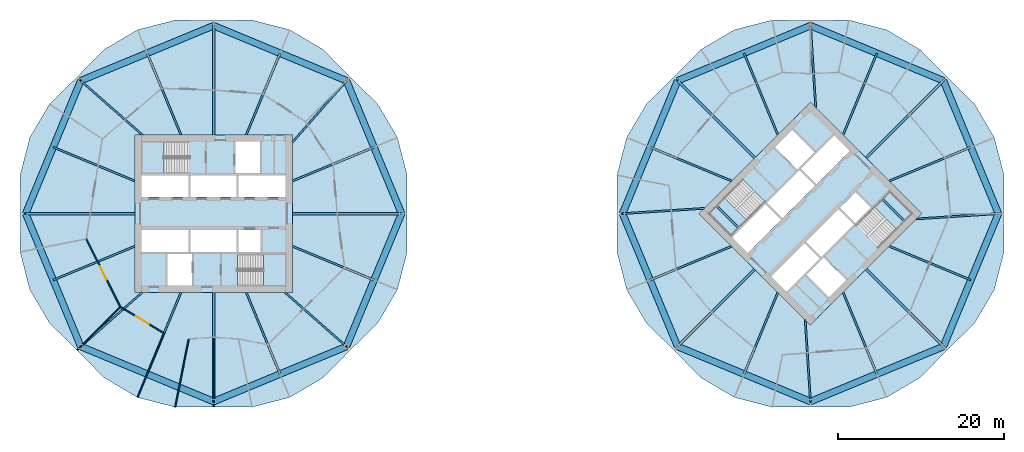
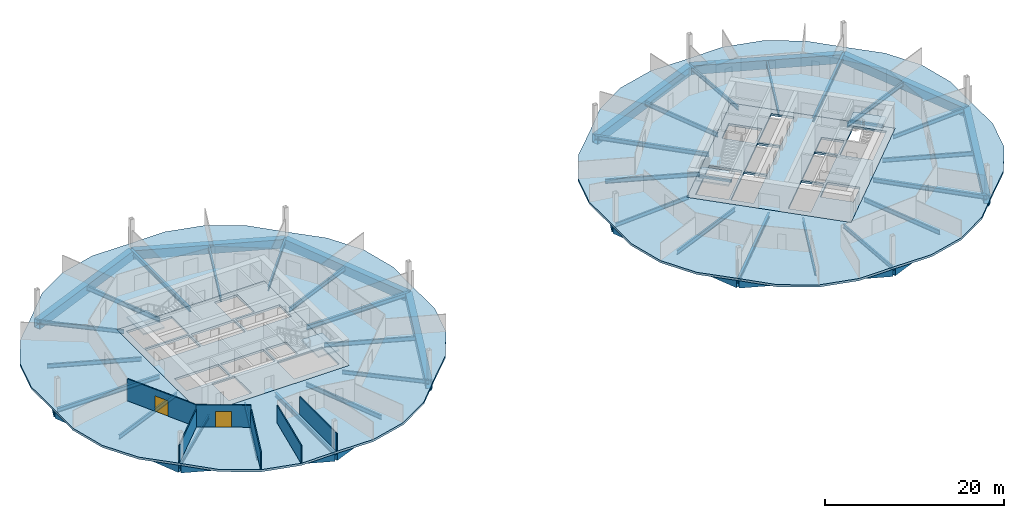
# One storey, part 3 of 9: 50 beams, 8 slabs, 6 walls, 2 doors, 2 openings, 4 elements without a shape of their own.
"""IFC4 building model written with IfcOpenShell, lengths in metres."""

from ifc_helpers import new_model, si_unit, direction, frame, frame_2d, origin, origin_2d, place, context, subcontext, project, spatial, polyline, rectangle, hollow_rectangle, i_section, outline, extrude, material, layer, layer_set, material_profile, profile_set, type_object, element, fill, aggregate, save


model = new_model("IFC4")

# Units and contexts
model_context = context("Model", 3, precision=1e-05, world=origin(), true_north=direction((0.0, 1.0)))
body_context = subcontext(model_context, "Body", "Model", "MODEL_VIEW")
ifc_project = project(units=[si_unit("LENGTHUNIT", "METRE"), si_unit("AREAUNIT", "SQUARE_METRE"), si_unit("VOLUMEUNIT", "CUBIC_METRE"), si_unit("PLANEANGLEUNIT", "RADIAN"), si_unit("MASSUNIT", "GRAM", prefix="KILO")], contexts=[model_context])

# Site, building, storey
site_placement = place(None, origin())
site = spatial("IfcSite", under=ifc_project, at=site_placement, CompositionType="ELEMENT")
building_placement = place(site_placement, origin())
building = spatial("IfcBuilding", under=site, at=building_placement, Name="Ogive Gate Towers", CompositionType="ELEMENT")
storey_placement = place(building_placement, frame((0.0, 0.0, 84.0)))
storey = spatial("IfcBuildingStorey", under=building, at=storey_placement, Name="L19", CompositionType="ELEMENT", Elevation=84.0)

# Beams
ifc_material_1 = material(Name="Steel SM460", Category="steel")
ifc_material_profile_1 = material_profile(ifc_material_1, hollow_rectangle(XDim=0.800048828125, YDim=1.199951171875, WallThickness=0.050048828125, at=origin_2d()), Name="BX 1200x800x50")
ifc_profile_set_1 = profile_set([ifc_material_profile_1], Name="Steel SM460")
beam_type_1 = type_object("IfcBeamType", Name="Edge girder BX 1200x800x50", PredefinedType="BEAM", material=ifc_profile_set_1)
for number, where, z_axis, x_axis, name in (
    (1, (-52.030029296875, -16.030029296875, -0.89990234375), (0.923878777792, -0.382685254414, 0.0), (0.382685254414, 0.923878777792, 0.0), "T1/L19/SBM017"),
    (2, (-36.0, -22.669921875, -0.89990234375), (0.923878777792, 0.382685254414, 0.0), (-0.382685254414, 0.923878777792, 0.0), "T1/L19/SBM018"),
    (3, (-19.969970703125, -16.030029296875, -0.89990234375), (0.382685254414, 0.923878777792, 0.0), (-0.923878777792, 0.382685254414, 0.0), "T1/L19/SBM019"),
    (4, (-13.330078125, 0.0, -0.89990234375), (-0.382685254414, 0.923878777792, 0.0), (-0.923878777792, -0.382685254414, 0.0), "T1/L19/SBM020"),
    (5, (-19.969970703125, 16.030029296875, -0.89990234375), (-0.923878777792, 0.382685254414, 0.0), (-0.382685254414, -0.923878777792, 0.0), "T1/L19/SBM021"),
    (6, (-36.0, 22.669921875, -0.89990234375), (-0.923878777792, -0.382685254414, 0.0), (0.382685254414, -0.923878777792, 0.0), "T1/L19/SBM022"),
    (7, (-52.030029296875, 16.030029296875, -0.89990234375), (-0.382685254414, -0.923878777792, 0.0), (0.923878777792, -0.382685254414, 0.0), "T1/L19/SBM023"),
    (8, (-58.669921875, 0.0, -0.89990234375), (0.382685254414, -0.923878777792, 0.0), (0.923878777792, 0.382685254414, 0.0), "T1/L19/SBM024"),
    (9, (19.969970703125, -16.030029296875, -0.89990234375), (0.923878777792, -0.382685254414, 0.0), (0.382685254414, 0.923878777792, 0.0), "T2/L19/SBM017"),
    (10, (36.0, -22.669921875, -0.89990234375), (0.923878777792, 0.382685254414, 0.0), (-0.382685254414, 0.923878777792, 0.0), "T2/L19/SBM018"),
    (11, (52.030029296875, -16.030029296875, -0.89990234375), (0.382685254414, 0.923878777792, 0.0), (-0.923878777792, 0.382685254414, 0.0), "T2/L19/SBM019"),
    (12, (58.669921875, 0.0, -0.89990234375), (-0.382685254414, 0.923878777792, 0.0), (-0.923878777792, -0.382685254414, 0.0), "T2/L19/SBM020"),
    (13, (52.030029296875, 16.030029296875, -0.89990234375), (-0.923878777792, 0.382685254414, 0.0), (-0.382685254414, -0.923878777792, 0.0), "T2/L19/SBM021"),
    (14, (36.0, 22.669921875, -0.89990234375), (-0.923878777792, -0.382685254414, 0.0), (0.382685254414, -0.923878777792, 0.0), "T2/L19/SBM022"),
    (15, (19.969970703125, 16.030029296875, -0.89990234375), (-0.382685254414, -0.923878777792, 0.0), (0.923878777792, -0.382685254414, 0.0), "T2/L19/SBM023"),
    (16, (13.330078125, 0.0, -0.89990234375), (0.382685254414, -0.923878777792, 0.0), (0.923878777792, 0.382685254414, 0.0), "T2/L19/SBM024"),
):
    element("IfcBeam", number, at=place(storey_placement, frame(where, z_axis=z_axis, x_axis=x_axis)), inside=storey, type_object=beam_type_1, Name=name, PredefinedType="BEAM", context=body_context, shape_type="SweptSolid", body=[
        extrude(hollow_rectangle(XDim=0.800048828125, YDim=1.199951171875, WallThickness=0.050048828125, at=origin_2d()), origin(), (0.0, 0.0, 1.0), 17.350830078125),
    ])
ifc_material_2 = material(Name="Concrete C40/50", Category="concrete")
ifc_material_profile_2 = material_profile(ifc_material_2, rectangle(XDim=0.25, YDim=0.300048828125, at=origin_2d()), Name="RC 250x300")
ifc_profile_set_2 = profile_set([ifc_material_profile_2], Name="Concrete C40/50")
beam_type_2 = type_object("IfcBeamType", Name="Landing bearer RC 250x300", PredefinedType="BEAM", material=ifc_profile_set_2)
for number, where, z_axis, x_axis, name in (
    (17, (24.650390625, 0.9541015625, 1.60009765625), (0.707106781187, -0.707106781187, 0.0), (0.707106781187, 0.707106781187, 0.0), "T2 L19 stair 1 landing bearer 1"),
    (18, (47.349609375, -0.9541015625, 1.60009765625), (-0.707106781187, 0.707106781187, 0.0), (-0.707106781187, -0.707106781187, 0.0), "T2 L19 stair 2 landing bearer 1"),
):
    element("IfcBeam", number, at=place(storey_placement, frame(where, z_axis=z_axis, x_axis=x_axis)), inside=storey, type_object=beam_type_2, Name=name, PredefinedType="BEAM", context=body_context, shape_type="SweptSolid", body=[
        extrude(rectangle(XDim=0.25, YDim=0.300048828125, at=origin_2d()), origin(), (0.0, 0.0, 1.0), 3.824951171875),
    ])
ifc_material_3 = material(Name="Steel SM355", Category="steel")
ifc_material_profile_3 = material_profile(ifc_material_3, i_section(OverallWidth=0.300048828125, OverallDepth=0.590087890625, WebThickness=0.012939453125, FlangeThickness=0.02490234375, FilletRadius=0.027099609375, at=origin_2d()), Name="HE 600 A")
ifc_profile_set_3 = profile_set([ifc_material_profile_3], Name="Steel SM355")
beam_type_3 = type_object("IfcBeamType", Name="Radial floor beam HE 600 A", PredefinedType="BEAM", material=ifc_profile_set_3)
for number, where, z_axis, x_axis, name in (
    (19, (-36.0, -9.5, -0.594970703125), (0.0, -1.0, 0.0), (1.0, 0.0, 0.0), "T1/L19/SBM003"),
    (20, (-26.5, 0.0, -0.594970703125), (1.0, 0.0, 0.0), (0.0, 1.0, 0.0), "T1/L19/SBM007"),
    (21, (-36.0, 9.5, -0.594970703125), (0.0, 1.0, 0.0), (-1.0, 0.0, 0.0), "T1/L19/SBM011"),
    (22, (-45.5, 0.0, -0.594970703125), (-1.0, 0.0, 0.0), (0.0, -1.0, 0.0), "T1/L19/SBM015"),
    (23, (29.282470703125, -6.717529296875, -0.594970703125), (-0.707106781187, -0.707106781187, 0.0), (0.707106781187, -0.707106781187, 0.0), "T2/L19/SBM001"),
    (24, (42.717529296875, -6.717529296875, -0.594970703125), (0.707106781187, -0.707106781187, 0.0), (0.707106781187, 0.707106781187, 0.0), "T2/L19/SBM005"),
    (25, (42.717529296875, 6.717529296875, -0.594970703125), (0.707106781187, 0.707106781187, 0.0), (-0.707106781187, 0.707106781187, 0.0), "T2/L19/SBM009"),
    (26, (29.282470703125, 6.717529296875, -0.594970703125), (-0.707106781187, 0.707106781187, 0.0), (-0.707106781187, -0.707106781187, 0.0), "T2/L19/SBM013"),
):
    element("IfcBeam", number, at=place(storey_placement, frame(where, z_axis=z_axis, x_axis=x_axis)), inside=storey, type_object=beam_type_3, Name=name, PredefinedType="BEAM", context=body_context, shape_type="SweptSolid", body=[
        extrude(i_section(OverallWidth=0.300048828125, OverallDepth=0.590087890625, WebThickness=0.012939453125, FlangeThickness=0.02490234375, FilletRadius=0.027099609375, at=origin_2d()), origin(), (0.0, 0.0, 1.0), 13.169921875),
    ])
ifc_material_profile_4 = material_profile(ifc_material_3, i_section(OverallWidth=0.2099609375, OverallDepth=0.550048828125, WebThickness=0.010986328125, FlangeThickness=0.01708984375, FilletRadius=0.02392578125, at=origin_2d()), Name="IPE 550")
ifc_profile_set_4 = profile_set([ifc_material_profile_4], Name="Steel SM355")
beam_type_4 = type_object("IfcBeamType", Name="Radial floor beam IPE 550", PredefinedType="BEAM", material=ifc_profile_set_4)
for number, where, z_axis, x_axis, name in (
    (27, (-44.60009765625, -9.5, -0.574951171875), (-0.751130036477, -0.660154276137, 0.0), (0.660154276137, -0.751130036477, 0.0), "T1/L19/SBM001"),
    (28, (-27.39990234375, -9.5, -0.574951171875), (0.751130036477, -0.660154276137, 0.0), (0.660154276137, 0.751130036477, 0.0), "T1/L19/SBM005"),
    (29, (-26.5, 8.60009765625, -0.574951171875), (0.660154276137, 0.751130036477, 0.0), (-0.751130036477, 0.660154276137, 0.0), "T1/L19/SBM009"),
    (30, (-44.60009765625, 9.5, -0.574951171875), (-0.751130036477, 0.660154276137, 0.0), (-0.660154276137, -0.751130036477, 0.0), "T1/L19/SBM013"),
):
    element("IfcBeam", number, at=place(storey_placement, frame(where, z_axis=z_axis, x_axis=x_axis)), inside=storey, type_object=beam_type_4, Name=name, PredefinedType="BEAM", context=body_context, shape_type="SweptSolid", body=[
        extrude(i_section(OverallWidth=0.2099609375, OverallDepth=0.550048828125, WebThickness=0.010986328125, FlangeThickness=0.01708984375, FilletRadius=0.02392578125, at=origin_2d()), origin(), (0.0, 0.0, 1.0), 9.8916015625),
    ])
for number, where, z_axis, x_axis, name in (
    (31, (35.363525390625, -12.798583984375, -0.574951171875), (0.064343427717, -0.997927814679, 0.0), (0.997927814679, 0.064343427717, 0.0), "T2/L19/SBM003"),
    (32, (48.798583984375, -0.636474609375, -0.574951171875), (0.997927814679, 0.064343427717, 0.0), (-0.064343427717, 0.997927814679, 0.0), "T2/L19/SBM007"),
    (33, (36.636474609375, 12.798583984375, -0.574951171875), (-0.064343427717, 0.997927814679, 0.0), (-0.997927814679, -0.064343427717, 0.0), "T2/L19/SBM011"),
    (34, (23.201416015625, 0.636474609375, -0.574951171875), (-0.997927814679, -0.064343427717, 0.0), (0.064343427717, -0.997927814679, 0.0), "T2/L19/SBM015"),
):
    element("IfcBeam", number, at=place(storey_placement, frame(where, z_axis=z_axis, x_axis=x_axis)), inside=storey, type_object=beam_type_4, Name=name, PredefinedType="BEAM", context=body_context, shape_type="SweptSolid", body=[
        extrude(i_section(OverallWidth=0.2099609375, OverallDepth=0.550048828125, WebThickness=0.010986328125, FlangeThickness=0.01708984375, FilletRadius=0.02392578125, at=origin_2d()), origin(), (0.0, 0.0, 1.0), 9.891845703125),
    ])
ifc_material_profile_5 = material_profile(ifc_material_3, i_section(OverallWidth=0.219970703125, OverallDepth=0.60009765625, WebThickness=0.011962890625, FlangeThickness=0.01904296875, FilletRadius=0.02392578125, at=origin_2d()), Name="IPE 600")
ifc_profile_set_5 = profile_set([ifc_material_profile_5], Name="Steel SM355")
beam_type_5 = type_object("IfcBeamType", Name="Radial floor beam IPE 600", PredefinedType="BEAM", material=ifc_profile_set_5)
for number, where, z_axis, x_axis, name in (
    (35, (-39.93505859375, -9.5, -0.60009765625), (-0.382686161148, -0.923878402208, 0.0), (0.923878402208, -0.382686161148, 0.0), "T1/L19/SBM002"),
    (36, (-32.06494140625, -9.5, -0.60009765625), (0.382686161148, -0.923878402208, 0.0), (0.923878402208, 0.382686161148, 0.0), "T1/L19/SBM004"),
    (37, (-26.5, -3.93505859375, -0.60009765625), (0.923878402208, -0.382686161148, 0.0), (0.382686161148, 0.923878402208, 0.0), "T1/L19/SBM006"),
    (38, (-26.5, 3.93505859375, -0.60009765625), (0.923878402208, 0.382686161148, 0.0), (-0.382686161148, 0.923878402208, 0.0), "T1/L19/SBM008"),
    (39, (-32.06494140625, 9.5, -0.60009765625), (0.382686161148, 0.923878402208, 0.0), (-0.923878402208, 0.382686161148, 0.0), "T1/L19/SBM010"),
    (40, (-39.93505859375, 9.5, -0.60009765625), (-0.382686161148, 0.923878402208, 0.0), (-0.923878402208, -0.382686161148, 0.0), "T1/L19/SBM012"),
    (41, (-45.5, 3.93505859375, -0.60009765625), (-0.923878402208, 0.382686161148, 0.0), (-0.382686161148, -0.923878402208, 0.0), "T1/L19/SBM014"),
    (42, (-45.5, -3.93505859375, -0.60009765625), (-0.923878402208, -0.382686161148, 0.0), (0.382686161148, -0.923878402208, 0.0), "T1/L19/SBM016"),
    (43, (32.06494140625, -9.5, -0.60009765625), (-0.382686161148, -0.923878402208, 0.0), (0.923878402208, -0.382686161148, 0.0), "T2/L19/SBM002"),
    (44, (39.93505859375, -9.5, -0.60009765625), (0.382686161148, -0.923878402208, 0.0), (0.923878402208, 0.382686161148, 0.0), "T2/L19/SBM004"),
    (45, (45.5, -3.93505859375, -0.60009765625), (0.923878402208, -0.382686161148, 0.0), (0.382686161148, 0.923878402208, 0.0), "T2/L19/SBM006"),
    (46, (45.5, 3.93505859375, -0.60009765625), (0.923878402208, 0.382686161148, 0.0), (-0.382686161148, 0.923878402208, 0.0), "T2/L19/SBM008"),
    (47, (39.93505859375, 9.5, -0.60009765625), (0.382686161148, 0.923878402208, 0.0), (-0.923878402208, 0.382686161148, 0.0), "T2/L19/SBM010"),
    (48, (32.06494140625, 9.5, -0.60009765625), (-0.382686161148, 0.923878402208, 0.0), (-0.923878402208, -0.382686161148, 0.0), "T2/L19/SBM012"),
    (49, (26.5, 3.93505859375, -0.60009765625), (-0.923878402208, 0.382686161148, 0.0), (-0.382686161148, -0.923878402208, 0.0), "T2/L19/SBM014"),
    (50, (26.5, -3.93505859375, -0.60009765625), (-0.923878402208, -0.382686161148, 0.0), (0.382686161148, -0.923878402208, 0.0), "T2/L19/SBM016"),
):
    element("IfcBeam", number, at=place(storey_placement, frame(where, z_axis=z_axis, x_axis=x_axis)), inside=storey, type_object=beam_type_5, Name=name, PredefinedType="BEAM", context=body_context, shape_type="SweptSolid", body=[
        extrude(i_section(OverallWidth=0.219970703125, OverallDepth=0.60009765625, WebThickness=0.011962890625, FlangeThickness=0.01904296875, FilletRadius=0.02392578125, at=origin_2d()), origin(), (0.0, 0.0, 1.0), 10.66162109375),
    ])

# Slabs
ifc_layer_1 = layer(ifc_material_2, 0.300048828125)
ifc_layer_set_1 = layer_set([ifc_layer_1], Name="Core slab C40/50 300 mm")
slab_type_1 = type_object("IfcSlabType", Name="Core slab C40/50 300 mm", PredefinedType="FLOOR", material=ifc_layer_set_1)
slab_1_placement = place(storey_placement, frame((0.0, 0.0, -0.300048828125)))
element("IfcSlab", 51, at=slab_1_placement, inside=storey, type_object=slab_type_1, Name="T1 L19 core slab", PredefinedType="FLOOR", context=body_context, shape_type="SweptSolid", body=[
    extrude(outline(polyline([(-26.5, 9.5), (-26.5, -9.5), (-45.5, -9.5), (-45.5, 9.5), (-26.5, 9.5)]), holes=[polyline([(-39.02490234375, 4.625), (-44.699951171875, 4.625), (-44.699951171875, 2.0), (-39.02490234375, 2.0), (-39.02490234375, 4.625)]), polyline([(-33.22509765625, 2.0), (-33.22509765625, 4.625), (-38.77490234375, 4.625), (-38.77490234375, 2.0), (-33.22509765625, 2.0)]), polyline([(-32.97509765625, 2.0), (-27.300048828125, 2.0), (-27.300048828125, 4.625), (-32.97509765625, 4.625), (-32.97509765625, 2.0)]), polyline([(-44.699951171875, -2.0), (-44.699951171875, -4.625), (-39.02490234375, -4.625), (-39.02490234375, -2.0), (-44.699951171875, -2.0)]), polyline([(-33.22509765625, -2.0), (-38.77490234375, -2.0), (-38.77490234375, -4.625), (-33.22509765625, -4.625), (-33.22509765625, -2.0)]), polyline([(-30.324951171875, -4.625), (-30.324951171875, -2.0), (-32.97509765625, -2.0), (-32.97509765625, -4.625), (-30.324951171875, -4.625)]), polyline([(-33.375, 4.875), (-30.425048828125, 4.875), (-30.425048828125, 8.699951171875), (-33.375, 8.699951171875), (-33.375, 4.875)]), polyline([(-41.574951171875, -4.875), (-41.574951171875, -8.699951171875), (-38.625, -8.699951171875), (-38.625, -4.875), (-41.574951171875, -4.875)]), polyline([(-44.699951171875, 4.875), (-38.885009765625, 4.875), (-38.885009765625, 8.699951171875), (-44.699951171875, 8.699951171875), (-44.699951171875, 4.875)]), polyline([(-27.300048828125, -8.699951171875), (-27.300048828125, -4.875), (-33.114990234375, -4.875), (-33.114990234375, -8.699951171875), (-27.300048828125, -8.699951171875)])]), origin(), (0.0, 0.0, 1.0), 0.300048828125),
])
slab_2_placement = place(storey_placement, frame((0.0, 0.0, -0.300048828125)))
element("IfcSlab", 52, at=slab_2_placement, inside=storey, type_object=slab_type_1, Name="T2 L19 core slab", PredefinedType="FLOOR", context=body_context, shape_type="SweptSolid", body=[
    extrude(outline(polyline([(36.0, 13.43505859375), (49.43505859375, 0.0), (36.0, -13.43505859375), (22.56494140625, 0.0), (36.0, 13.43505859375)]), holes=[polyline([(30.590576171875, 1.13134765625), (26.577880859375, -2.881591796875), (28.43408203125, -4.737548828125), (32.44677734375, -0.724853515625), (30.590576171875, 1.13134765625)]), polyline([(36.548095703125, 3.37646484375), (34.69189453125, 5.232666015625), (30.767333984375, 1.30810546875), (32.62353515625, -0.548095703125), (36.548095703125, 3.37646484375)]), polyline([(36.724853515625, 3.55322265625), (40.737548828125, 7.56591796875), (38.881591796875, 9.422119140625), (34.86865234375, 5.409423828125), (36.724853515625, 3.55322265625)]), polyline([(31.262451171875, -7.56591796875), (33.118408203125, -9.422119140625), (37.13134765625, -5.409423828125), (35.275146484375, -3.55322265625), (31.262451171875, -7.56591796875)]), polyline([(39.37646484375, 0.548095703125), (35.451904296875, -3.37646484375), (37.30810546875, -5.232666015625), (41.232666015625, -1.30810546875), (39.37646484375, 0.548095703125)]), polyline([(43.283203125, 0.742431640625), (41.427001953125, 2.5986328125), (39.55322265625, 0.724853515625), (41.409423828125, -1.13134765625), (43.283203125, 0.742431640625)]), polyline([(34.408935546875, 5.30322265625), (36.4951171875, 7.389404296875), (33.790283203125, 10.093994140625), (31.704345703125, 8.008056640625), (34.408935546875, 5.30322265625)]), polyline([(35.5048828125, -7.389404296875), (38.209716796875, -10.093994140625), (40.295654296875, -8.008056640625), (37.591064453125, -5.30322265625), (35.5048828125, -7.389404296875)]), polyline([(26.40087890625, -2.70458984375), (30.512939453125, 1.406982421875), (27.80810546875, 4.11181640625), (23.6962890625, 0.0), (26.40087890625, -2.70458984375)]), polyline([(48.3037109375, 0.0), (45.59912109375, 2.70458984375), (41.487060546875, -1.406982421875), (44.19189453125, -4.11181640625), (48.3037109375, 0.0)])]), origin(), (0.0, 0.0, 1.0), 0.300048828125),
])
ifc_material_4 = material(Name="Concrete C35/45", Category="concrete")
ifc_layer_2 = layer(ifc_material_4, 0.300048828125)
ifc_layer_set_2 = layer_set([ifc_layer_2], Name="Floor slab 300")
slab_type_2 = type_object("IfcSlabType", Name="Floor slab 300", PredefinedType="FLOOR", material=ifc_layer_set_2)
slab_3_placement = place(storey_placement, frame((0.0, 0.0, -0.300048828125)))
element("IfcSlab", 53, at=slab_3_placement, inside=storey, type_object=slab_type_2, Name="T1/L19/SSL001", PredefinedType="FLOOR", context=body_context, shape_type="SweptSolid", body=[
    extrude(outline(polyline([(-12.6572265625, -4.64306640625), (-12.699951171875, 0.0), (-12.6572265625, 4.64306640625), (-13.826904296875, 9.184326171875), (-16.2109375, 13.22265625), (-19.5244140625, 16.4755859375), (-22.77734375, 19.7890625), (-26.815673828125, 22.173095703125), (-31.35693359375, 23.3427734375), (-36.0, 23.300048828125), (-40.64306640625, 23.3427734375), (-45.184326171875, 22.173095703125), (-49.22265625, 19.7890625), (-52.4755859375, 16.4755859375), (-55.7890625, 13.22265625), (-58.173095703125, 9.184326171875), (-59.3427734375, 4.64306640625), (-59.300048828125, 0.0), (-59.3427734375, -4.64306640625), (-58.173095703125, -9.184326171875), (-55.7890625, -13.22265625), (-52.4755859375, -16.4755859375), (-49.22265625, -19.7890625), (-45.184326171875, -22.173095703125), (-40.64306640625, -23.3427734375), (-36.0, -23.300048828125), (-31.35693359375, -23.3427734375), (-26.815673828125, -22.173095703125), (-22.77734375, -19.7890625), (-19.5244140625, -16.4755859375), (-16.2109375, -13.22265625), (-13.826904296875, -9.184326171875), (-12.6572265625, -4.64306640625)]), holes=[polyline([(-26.5, -9.5), (-45.5, -9.5), (-45.5, 9.5), (-26.5, 9.5), (-26.5, -9.5)])]), origin(), (0.0, 0.0, 1.0), 0.300048828125),
])
slab_4_placement = place(storey_placement, frame((0.0, 0.0, -0.300048828125)))
element("IfcSlab", 54, at=slab_4_placement, inside=storey, type_object=slab_type_2, Name="T2/L19/SSL001", PredefinedType="FLOOR", context=body_context, shape_type="SweptSolid", body=[
    extrude(outline(polyline([(59.3427734375, -4.64306640625), (59.300048828125, 0.0), (59.3427734375, 4.64306640625), (58.173095703125, 9.184326171875), (55.7890625, 13.22265625), (52.4755859375, 16.4755859375), (49.22265625, 19.7890625), (45.184326171875, 22.173095703125), (40.64306640625, 23.3427734375), (36.0, 23.300048828125), (31.35693359375, 23.3427734375), (26.815673828125, 22.173095703125), (22.77734375, 19.7890625), (19.5244140625, 16.4755859375), (16.2109375, 13.22265625), (13.826904296875, 9.184326171875), (12.6572265625, 4.64306640625), (12.699951171875, 0.0), (12.6572265625, -4.64306640625), (13.826904296875, -9.184326171875), (16.2109375, -13.22265625), (19.5244140625, -16.4755859375), (22.77734375, -19.7890625), (26.815673828125, -22.173095703125), (31.35693359375, -23.3427734375), (36.0, -23.300048828125), (40.64306640625, -23.3427734375), (45.184326171875, -22.173095703125), (49.22265625, -19.7890625), (52.4755859375, -16.4755859375), (55.7890625, -13.22265625), (58.173095703125, -9.184326171875), (59.3427734375, -4.64306640625)]), holes=[polyline([(49.43505859375, 0.0), (36.0, -13.43505859375), (22.56494140625, 0.0), (36.0, 13.43505859375), (49.43505859375, 0.0)])]), origin(), (0.0, 0.0, 1.0), 0.300048828125),
])

# Stair, slab
stair_type = type_object("IfcStairType", Name="Escape stair 1840 wide", PredefinedType="HALF_TURN_STAIR", material=ifc_material_2)
stair_1_placement = place(storey_placement, origin())
stair_1 = element("IfcStair", 55, at=stair_1_placement, inside=storey, type_object=stair_type, Name="L19 Escape stair 1", PredefinedType="HALF_TURN_STAIR")
ifc_layer_3 = layer(ifc_material_2, 0.199951171875)
ifc_layer_set_3 = layer_set([ifc_layer_3], Name="Stair landing 200 mm")
slab_type_3 = type_object("IfcSlabType", Name="Stair landing 200 mm", PredefinedType="LANDING", material=ifc_layer_set_3)
slab_5_placement = place(storey_placement, frame((0.0, 0.0, 1.75)))
slab_5 = element("IfcSlab", 56, at=slab_5_placement, type_object=slab_type_3, Name="ST1 landing 1", PredefinedType="LANDING", context=body_context, shape_type="SweptSolid", body=[
    extrude(outline(polyline([(-42.00146484375, 8.699951171875), (-44.699951171875, 8.699951171875), (-44.699951171875, 4.875), (-42.00146484375, 4.875), (-42.00146484375, 8.699951171875)])), origin(), (0.0, 0.0, 1.0), 0.199951171875),
])
aggregate(stair_1, [slab_5])

stair_2_placement = place(storey_placement, origin())
stair_2 = element("IfcStair", 57, at=stair_2_placement, inside=storey, type_object=stair_type, Name="L19 Escape stair 2", PredefinedType="HALF_TURN_STAIR")
slab_6_placement = place(storey_placement, frame((0.0, 0.0, 1.75)))
slab_6 = element("IfcSlab", 58, at=slab_6_placement, type_object=slab_type_3, Name="ST2 landing 1", PredefinedType="LANDING", context=body_context, shape_type="SweptSolid", body=[
    extrude(outline(polyline([(-29.99853515625, -8.699951171875), (-27.300048828125, -8.699951171875), (-27.300048828125, -4.875), (-29.99853515625, -4.875), (-29.99853515625, -8.699951171875)])), origin(), (0.0, 0.0, 1.0), 0.199951171875),
])
aggregate(stair_2, [slab_6])

stair_3_placement = place(storey_placement, origin())
stair_3 = element("IfcStair", 59, at=stair_3_placement, inside=storey, type_object=stair_type, Name="L19 Escape stair 1", PredefinedType="HALF_TURN_STAIR")
slab_7_placement = place(storey_placement, frame((0.0, 0.0, 1.75)))
slab_7 = element("IfcSlab", 60, at=slab_7_placement, type_object=slab_type_3, Name="ST1 landing 1", PredefinedType="LANDING", context=body_context, shape_type="SweptSolid", body=[
    extrude(outline(polyline([(25.6044921875, 1.908203125), (23.6962890625, 0.0), (26.401123046875, -2.70458984375), (28.309326171875, -0.79638671875), (25.6044921875, 1.908203125)])), origin(), (0.0, 0.0, 1.0), 0.199951171875),
])
aggregate(stair_3, [slab_7])

stair_4_placement = place(storey_placement, origin())
stair_4 = element("IfcStair", 61, at=stair_4_placement, inside=storey, type_object=stair_type, Name="L19 Escape stair 2", PredefinedType="HALF_TURN_STAIR")
slab_8_placement = place(storey_placement, frame((0.0, 0.0, 1.75)))
slab_8 = element("IfcSlab", 62, at=slab_8_placement, type_object=slab_type_3, Name="ST2 landing 1", PredefinedType="LANDING", context=body_context, shape_type="SweptSolid", body=[
    extrude(outline(polyline([(46.3955078125, -1.908203125), (48.3037109375, 0.0), (45.598876953125, 2.70458984375), (43.690673828125, 0.79638671875), (46.3955078125, -1.908203125)])), origin(), (0.0, 0.0, 1.0), 0.199951171875),
])
aggregate(stair_4, [slab_8])

# Walls
ifc_material_5 = material(Name="Gypsum board partition")
ifc_layer_4 = layer(ifc_material_5, 0.125)
ifc_layer_set_4 = layer_set([ifc_layer_4], Name="Partition 125")
wall_type = type_object("IfcWallType", Name="Partition 125", PredefinedType="PARTITIONING", material=ifc_layer_set_4)
wall_1_placement = place(storey_placement, frame((-52.474853515625, -16.474853515625, 0.0), z_axis=(0.0, 0.0, 1.0), x_axis=(0.707106781187, 0.707106781187, 0.0)))
element("IfcWall", 63, at=wall_1_placement, inside=storey, type_object=wall_type, Name="Partition T1-L19-009", PredefinedType="PARTITIONING", context=body_context, shape_type="SweptSolid", body=[
    extrude(rectangle(XDim=7.32666015625, YDim=0.125, at=frame_2d((3.663330078125, 0.0))), origin(), (0.0, 0.0, 1.0), 2.39990234375),
])
for number, where, z_axis, x_axis, name in (
    (64, (-45.184326171875, -22.173095703125, 0.0), (0.0, 0.0, 1.0), (0.3826720415, 0.92388425068, 0.0), "Partition T1-L19-010"),
    (65, (-40.6357421875, -23.34375, 0.0), (0.0, 0.0, 1.0), (0.194779590765, 0.980847037525, 0.0), "Partition T1-L19-011"),
):
    element("IfcWall", number, at=place(storey_placement, frame(where, z_axis=z_axis, x_axis=x_axis)), inside=storey, type_object=wall_type, Name=name, PredefinedType="PARTITIONING", context=body_context, shape_type="SweptSolid", body=[
        extrude(rectangle(XDim=8.326416015625, YDim=0.125, at=frame_2d((4.1630859375, 0.0))), origin(), (0.0, 0.0, 1.0), 2.39990234375),
    ])
wall_2_placement = place(storey_placement, frame((-36.0, -23.299072265625, 0.0), z_axis=(0.0, 0.0, 1.0), x_axis=(0.0, 1.0, 0.0)))
element("IfcWall", 66, at=wall_2_placement, inside=storey, type_object=wall_type, Name="Partition T1-L19-012", PredefinedType="PARTITIONING", context=body_context, shape_type="SweptSolid", body=[
    extrude(rectangle(XDim=8.32666015625, YDim=0.125, at=frame_2d((4.163330078125, 0.0))), origin(), (0.0, 0.0, 1.0), 2.39990234375),
])

# Wall, opening, door
wall_3_placement = place(storey_placement, frame((-51.360595703125, -3.05029296875, 0.0), z_axis=(0.0, 0.0, 1.0), x_axis=(0.448150268207, -0.893958241254, 0.0)))
wall_3 = element("IfcWall", 67, at=wall_3_placement, inside=storey, type_object=wall_type, Name="Partition T1-L19-028", PredefinedType="PARTITIONING", context=body_context, shape_type="SweptSolid", body=[
    extrude(rectangle(XDim=9.17236328125, YDim=0.125, at=frame_2d((4.586181640625, 0.0))), origin(), (0.0, 0.0, 1.0), 3.0),
])
opening_1_placement = place(wall_3_placement, frame((3.68603515625, 0.0, 0.0)))
opening_1 = element("IfcOpeningElement", 68, at=opening_1_placement, cuts=wall_3, Name="Opening T1-L19-D13", PredefinedType="OPENING", context=body_context, shape_type="SweptSolid", body=[
    extrude(rectangle(XDim=1.800048828125, YDim=2.10009765625, at=frame_2d((0.89990234375, 1.050048828125))), frame((0.0, 0.072509765625, 0.0), z_axis=(0.0, -1.0, 0.0), x_axis=(1.0, 0.0, 0.0)), (0.0, 0.0, 1.0), 0.14501953125),
])
ifc_material_6 = material(Name="Timber door", Category="wood")
door_type = type_object("IfcDoorType", Name="Door pair 1800", OperationType="NOTDEFINED", PredefinedType="DOOR", material=ifc_material_6)
door_1_placement = place(opening_1_placement, origin())
door_1 = element("IfcDoor", 69, at=door_1_placement, inside=storey, type_object=door_type, Name="Door T1-L19-D13", OperationType="DOUBLE_DOOR_DOUBLE_SWING", OverallHeight=2.10009765625, OverallWidth=1.800048828125, PredefinedType="DOOR", context=body_context, shape_type="SweptSolid", body=[
    extrude(rectangle(XDim=1.800048828125, YDim=2.10009765625, at=frame_2d((0.89990234375, 1.050048828125))), frame((0.0, 0.02490234375, 0.0), z_axis=(0.0, -1.0, 0.0), x_axis=(1.0, 0.0, 0.0)), (0.0, 0.0, 1.0), 0.050048828125),
])
fill(opening_1, door_1)

wall_4_placement = place(storey_placement, frame((-47.25, -11.25, 0.0), z_axis=(0.0, 0.0, 1.0), x_axis=(0.856985133989, -0.515341129856, 0.0)))
wall_4 = element("IfcWall", 70, at=wall_4_placement, inside=storey, type_object=wall_type, Name="Partition T1-L19-029", PredefinedType="PARTITIONING", context=body_context, shape_type="SweptSolid", body=[
    extrude(rectangle(XDim=6.15625, YDim=0.125, at=frame_2d((3.078125, 0.0))), origin(), (0.0, 0.0, 1.0), 3.0),
])
opening_2_placement = place(wall_4_placement, frame((2.177978515625, 0.0, 0.0)))
opening_2 = element("IfcOpeningElement", 71, at=opening_2_placement, cuts=wall_4, Name="Opening T1-L19-D14", PredefinedType="OPENING", context=body_context, shape_type="SweptSolid", body=[
    extrude(rectangle(XDim=1.800048828125, YDim=2.10009765625, at=frame_2d((0.89990234375, 1.050048828125))), frame((0.0, 0.072509765625, 0.0), z_axis=(0.0, -1.0, 0.0), x_axis=(1.0, 0.0, 0.0)), (0.0, 0.0, 1.0), 0.14501953125),
])
door_2_placement = place(opening_2_placement, origin())
door_2 = element("IfcDoor", 72, at=door_2_placement, inside=storey, type_object=door_type, Name="Door T1-L19-D14", OperationType="DOUBLE_DOOR_DOUBLE_SWING", OverallHeight=2.10009765625, OverallWidth=1.800048828125, PredefinedType="DOOR", context=body_context, shape_type="SweptSolid", body=[
    extrude(rectangle(XDim=1.800048828125, YDim=2.10009765625, at=frame_2d((0.89990234375, 1.050048828125))), frame((0.0, 0.02490234375, 0.0), z_axis=(0.0, -1.0, 0.0), x_axis=(1.0, 0.0, 0.0)), (0.0, 0.0, 1.0), 0.050048828125),
])
fill(opening_2, door_2)

save(model, "model.ifc")
